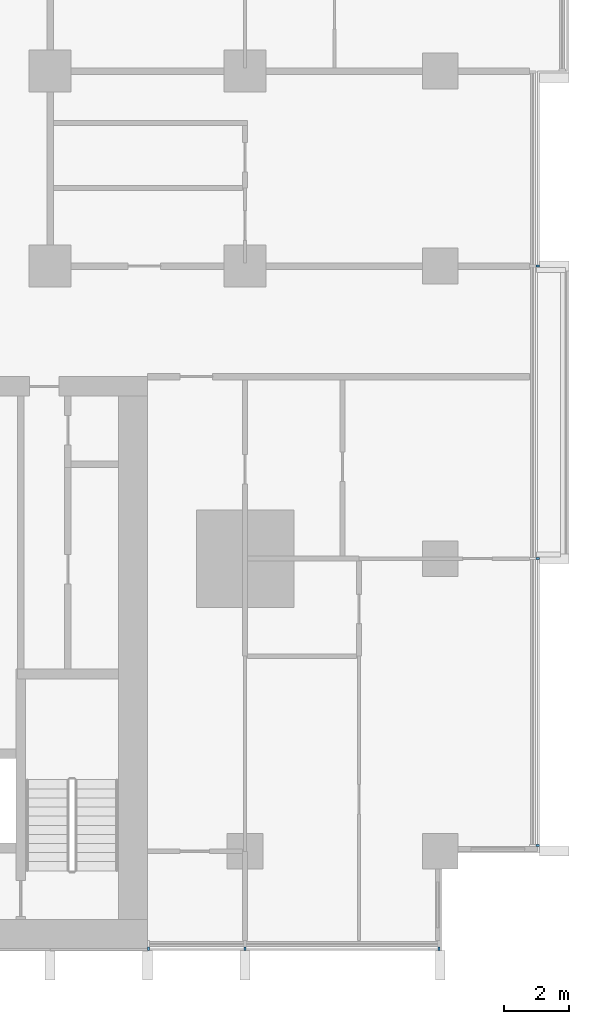
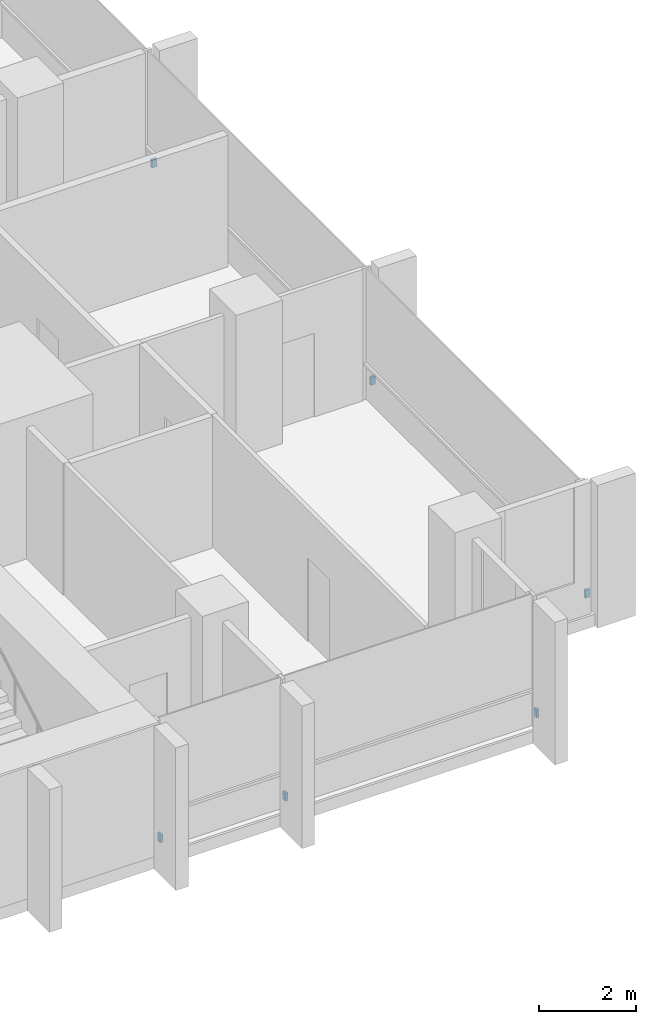
# One storey, part 15 of 18: 6 discrete accessories.
"""IFC4 building model written with IfcOpenShell, lengths in metres."""

from ifc_helpers import new_model, si_unit, direction, frame, origin, origin_2d, place, context, subcontext, project, spatial, rectangle, extrude, material, type_object, element, save


model = new_model("IFC4")

# Units and contexts
model_context = context("Model", 3, precision=1e-05, world=origin(), true_north=direction((0.0, 1.0)))
body_context = subcontext(model_context, "Body", "Model", "MODEL_VIEW")
ifc_project = project(units=[si_unit("LENGTHUNIT", "METRE"), si_unit("AREAUNIT", "SQUARE_METRE"), si_unit("VOLUMEUNIT", "CUBIC_METRE"), si_unit("PLANEANGLEUNIT", "RADIAN"), si_unit("MASSUNIT", "GRAM", prefix="KILO")], contexts=[model_context])

# Site, building, storey
site_placement = place(None, origin())
site = spatial("IfcSite", under=ifc_project, at=site_placement, CompositionType="ELEMENT")
building_placement = place(site_placement, origin())
building = spatial("IfcBuilding", under=site, at=building_placement, Name="Finial Court Residences", CompositionType="ELEMENT")
storey_placement = place(building_placement, frame((0.0, 0.0, 39.699951171875)))
storey = spatial("IfcBuildingStorey", under=building, at=storey_placement, Name="L08", CompositionType="ELEMENT", Elevation=39.699951171875)

# Discrete accessories
ifc_material = material(Name="Stainless steel 316", Category="steel")
discrete_accessory_type = type_object("IfcDiscreteAccessoryType", Name="Fin bracket, stainless steel 65 x 110 x 200", PredefinedType="BRACKET", material=ifc_material)
for number, where, z_axis, x_axis, name in (
    (1, (25.5048828125, -22.3173828125, 0.30029296875), (0.0, 0.0, 1.0), (1.0, 0.0, 0.0), "E-L08-FIN-E9-BRK"),
    (2, (25.5048828125, -13.5, 0.30029296875), (0.0, 0.0, 1.0), (1.0, 0.0, 0.0), "E-L08-FIN-E10-BRK"),
    (3, (25.5048828125, -4.5, 0.30029296875), (0.0, 0.0, 1.0), (1.0, 0.0, 0.0), "E-L08-FIN-E11-BRK"),
):
    element("IfcDiscreteAccessory", number, at=place(storey_placement, frame(where, z_axis=z_axis, x_axis=x_axis)), inside=storey, type_object=discrete_accessory_type, Name=name, PredefinedType="BRACKET", context=body_context, shape_type="SweptSolid", body=[
        extrude(rectangle(XDim=0.110107421875, YDim=0.06494140625, at=origin_2d()), origin(), (0.0, 0.0, 1.0), 0.199951171875),
    ])
for number, where, z_axis, x_axis, name in (
    (4, (13.532470703125, -25.5048828125, 0.30029296875), (0.0, 0.0, 1.0), (1.0, 0.0, 0.0), "E-L08-FIN-S24-BRK"),
    (5, (16.5, -25.5048828125, 0.30029296875), (0.0, 0.0, 1.0), (1.0, 0.0, 0.0), "E-L08-FIN-S25-BRK"),
    (6, (22.467529296875, -25.5048828125, 0.30029296875), (0.0, 0.0, 1.0), (1.0, 0.0, 0.0), "E-L08-FIN-S26-BRK"),
):
    element("IfcDiscreteAccessory", number, at=place(storey_placement, frame(where, z_axis=z_axis, x_axis=x_axis)), inside=storey, type_object=discrete_accessory_type, Name=name, PredefinedType="BRACKET", context=body_context, shape_type="SweptSolid", body=[
        extrude(rectangle(XDim=0.06494140625, YDim=0.110107421875, at=origin_2d()), origin(), (0.0, 0.0, 1.0), 0.199951171875),
    ])

save(model, "model.ifc")
